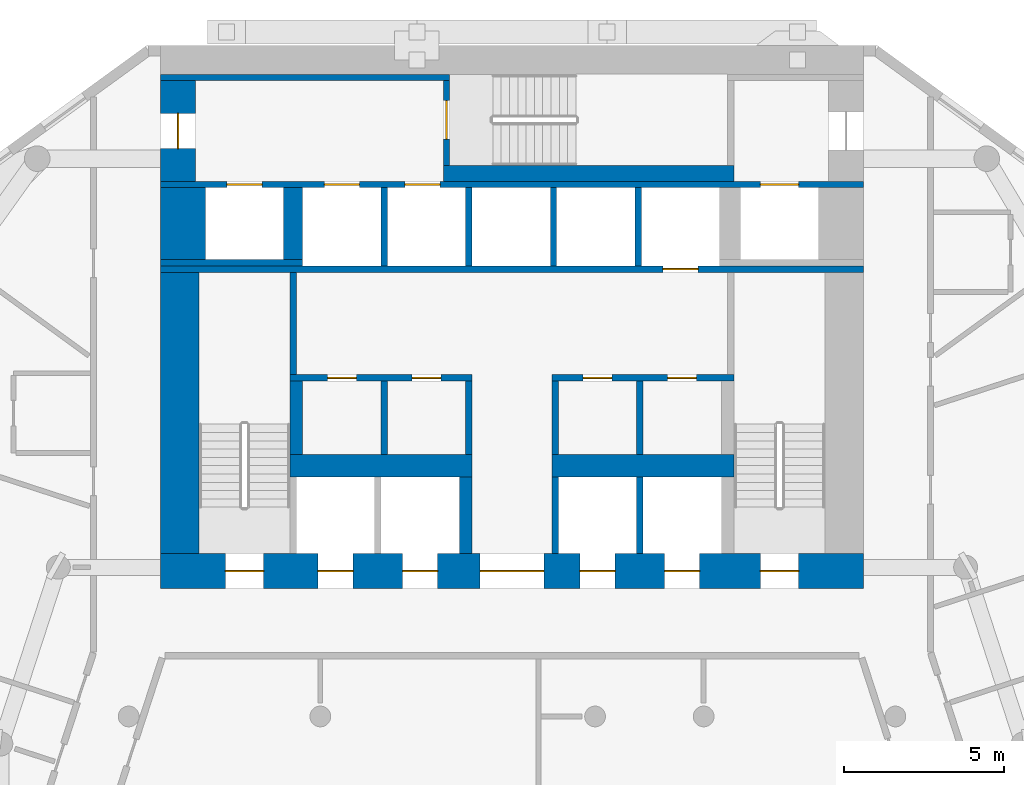
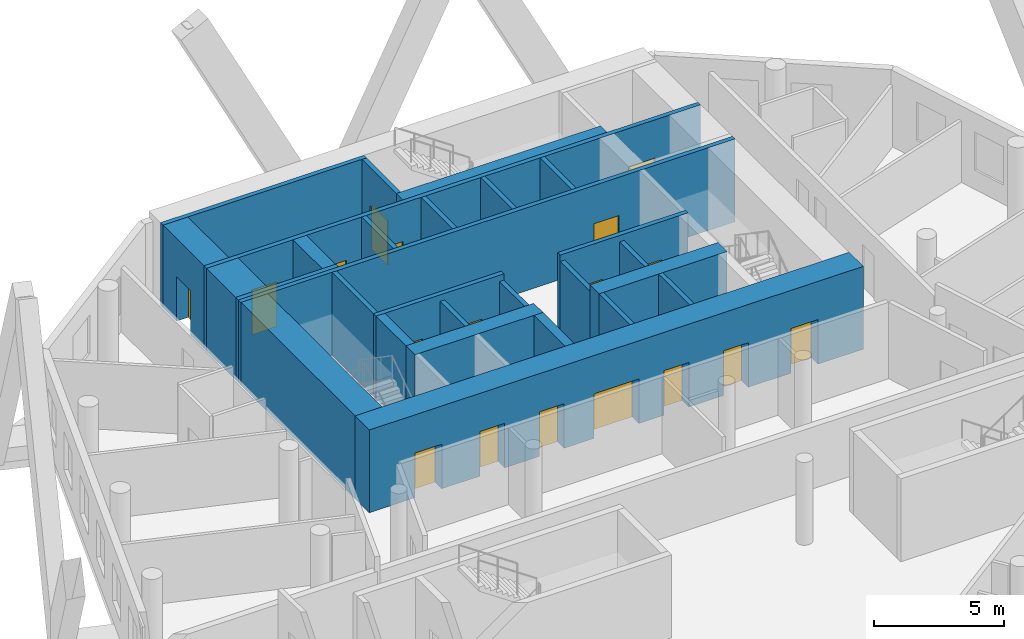
# One storey, part 7 of 11: 28 walls, 18 doors, 18 openings.
"""IFC4 building model written with IfcOpenShell, lengths in metres."""

import ifcopenshell
import ifcopenshell.guid

model = None  # the IFC model being written
_history = None  # IfcOwnerHistory: only IFC2X3 demands one
_inside = {}  # id of a spatial element -> (the spatial element, [elements in it])
_under = {}  # id of a project, library or spatial element -> (it, [spatial elements below it])
_declared = {}  # id of a project -> (the project, [libraries it declares])
_typed = {}  # id of a type object -> (the type object, [elements of that type])
_made_of = {}  # id of a material, layer set ... -> (it, [elements and type objects made of it])


def new_model(schema):
    """Start an empty IFC model of exactly this schema.

    Asked for "IFC4X3", IfcOpenShell would pick the latest addendum, in which some entities
    have other attributes; the version numbers below select the first issue.
    IFC2X3 requires an IfcOwnerHistory on every rooted entity: one is made here for all.
    """
    global model, _history
    if schema == "IFC4X3":
        model = ifcopenshell.file(schema_version=(4, 3, 0, 0))
    else:
        model = ifcopenshell.file(schema=schema)
    _inside.clear()
    _under.clear()
    _declared.clear()
    _typed.clear()
    _made_of.clear()
    _history = None
    if model.schema == "IFC2X3":
        org = make("IfcOrganization", Name="unknown")
        user = make(
            "IfcPersonAndOrganization",
            ThePerson=make("IfcPerson", FamilyName="unknown"),
            TheOrganization=org,
        )
        app = make(
            "IfcApplication",
            ApplicationDeveloper=org,
            Version="unknown",
            ApplicationFullName="unknown",
            ApplicationIdentifier="unknown",
        )
        _history = make(
            "IfcOwnerHistory",
            OwningUser=user,
            OwningApplication=app,
            ChangeAction="ADDED",
            CreationDate=0,
        )
    return model


def make(cls, **values):
    """One entity of the class cls with the attributes given. An attribute that is None is left unset."""
    return model.create_entity(
        cls, **{name: value for name, value in values.items() if value is not None}
    )


def rooted(cls, **values):
    """An entity with a GlobalId (a new one), such as an element, a storey or a relation."""
    return make(cls, GlobalId=ifcopenshell.guid.new(), OwnerHistory=_history, **values)


def si_unit(unit_type, name, prefix=None):
    """IfcSIUnit, for example si_unit("LENGTHUNIT", "METRE", prefix="MILLI")."""
    return make("IfcSIUnit", UnitType=unit_type, Prefix=prefix, Name=name)


def assignment(units):
    """IfcUnitAssignment: the units of a project."""
    return None if units is None else make("IfcUnitAssignment", Units=units)


def point(xyz):
    """IfcCartesianPoint."""
    return None if xyz is None else make("IfcCartesianPoint", Coordinates=xyz)


def direction(xyz):
    """IfcDirection."""
    return None if xyz is None else make("IfcDirection", DirectionRatios=xyz)


def frame(location, z_axis=None, x_axis=None):
    """IfcAxis2Placement3D, a coordinate frame: its origin and axes. An axis left out is left unset."""
    return make(
        "IfcAxis2Placement3D",
        Location=point(location),
        Axis=direction(z_axis),
        RefDirection=direction(x_axis),
    )


def frame_2d(location, x_axis=None):
    """IfcAxis2Placement2D, a coordinate frame in the plane: its origin and x axis."""
    return make(
        "IfcAxis2Placement2D", Location=point(location), RefDirection=direction(x_axis)
    )


def origin():
    """The frame at (0, 0, 0) with its axes left unset."""
    return frame((0.0, 0.0, 0.0))


def place(relative_to, where):
    """IfcLocalPlacement: puts the frame where relative to a parent placement (None: the world)."""
    return make(
        "IfcLocalPlacement", PlacementRelTo=relative_to, RelativePlacement=where
    )


def context(
    kind, dimensions, precision=None, world=None, true_north=None, identifier=None
):
    """IfcGeometricRepresentationContext, for example the 3D "Model" context."""
    return make(
        "IfcGeometricRepresentationContext",
        ContextIdentifier=identifier,
        ContextType=kind,
        CoordinateSpaceDimension=dimensions,
        Precision=precision,
        WorldCoordinateSystem=world,
        TrueNorth=true_north,
    )


def subcontext(parent, identifier, kind, view, scale=None):
    """IfcGeometricRepresentationSubContext, for example "Body" below "Model"."""
    return make(
        "IfcGeometricRepresentationSubContext",
        ContextIdentifier=identifier,
        ContextType=kind,
        ParentContext=parent,
        TargetScale=scale,
        TargetView=view,
    )


def project(units=None, contexts=None):
    """IfcProject with its units and contexts."""
    return rooted(
        "IfcProject",
        Name="project",
        RepresentationContexts=contexts,
        UnitsInContext=assignment(units),
    )


def spatial(cls, under=None, at=None, **own):
    """A site, building, storey or space (cls), placed at a placement, below another one or the project."""
    s = rooted(cls, ObjectPlacement=at, **own)
    if under is not None:
        _under.setdefault(under.id(), (under, []))[1].append(s)
    return s


def profile(cls, at=None, kind="AREA", **sizes):
    """A parametric profile (cls). Its sizes go by their IFC names, for example OverallWidth=200.0."""
    return make(cls, ProfileType=kind, Position=at, **sizes)


def rectangle(**sizes):
    """IfcRectangleProfileDef."""
    return profile("IfcRectangleProfileDef", **sizes)


def extrude(swept, where, along, depth):
    """IfcExtrudedAreaSolid: the profile swept, set in the frame where, extruded along a direction by depth."""
    return make(
        "IfcExtrudedAreaSolid",
        SweptArea=swept,
        Position=where,
        ExtrudedDirection=direction(along),
        Depth=depth,
    )


def shape(context_of_items, identifier, shape_type, items):
    """IfcShapeRepresentation: the items that make up one representation, for example the "Body"."""
    return make(
        "IfcShapeRepresentation",
        ContextOfItems=context_of_items,
        RepresentationIdentifier=identifier,
        RepresentationType=shape_type,
        Items=items,
    )


def material(Name=None, Category=None):
    """IfcMaterial."""
    return make("IfcMaterial", Name=Name, Category=Category)


def layer(
    of_material, thickness, ventilated=None, Name=None, Category=None, Priority=None
):
    """IfcMaterialLayer: one layer of a wall or slab, of a material (None: an air gap)."""
    return make(
        "IfcMaterialLayer",
        Material=of_material,
        LayerThickness=thickness,
        IsVentilated=ventilated,
        Name=Name,
        Category=Category,
        Priority=Priority,
    )


def layer_set(layers, Name=None):
    """IfcMaterialLayerSet."""
    return make("IfcMaterialLayerSet", MaterialLayers=layers, LayerSetName=Name)


def made_of(thing, what):
    """Note that an element or type object is made of a material, layer set ...; save() writes the relation."""
    if what is not None:
        _made_of.setdefault(what.id(), (what, []))[1].append(thing)
    return thing


def type_object(cls, material=None, **own):
    """A type object (cls), such as IfcWallType, which elements share."""
    return made_of(rooted(cls, **own), material)


def element(
    cls,
    number,
    at=None,
    inside=None,
    cuts=None,
    type_object=None,
    material=None,
    context=None,
    identifier="Body",
    shape_type=None,
    held_by="IfcProductDefinitionShape",
    body=None,
    shapes=None,
    **own,
):
    """One element of the class cls, such as IfcWall. Its Tag is "e" and its number.

    at: its placement. inside: the storey or other place that contains it. cuts: it is an
    opening in that element (IfcRelVoidsElement). A single representation is given by context,
    identifier, shape_type and body (its items); several are given by shapes. held_by: the class
    of the entity that holds the representations. save() writes the other relations.
    """
    e = rooted(cls, Tag="e%d" % number, ObjectPlacement=at, **own)
    if body is not None:
        shapes = [shape(context, identifier, shape_type, body)]
    if shapes is not None:
        e.Representation = make(held_by, Representations=shapes)
    if inside is not None:
        _inside.setdefault(inside.id(), (inside, []))[1].append(e)
    if cuts is not None:
        rooted(
            "IfcRelVoidsElement", RelatingBuildingElement=cuts, RelatedOpeningElement=e
        )
    if type_object is not None:
        _typed.setdefault(type_object.id(), (type_object, []))[1].append(e)
    return made_of(e, material)


def fill(opening, filler):
    """IfcRelFillsElement: the door or window that sits in an opening."""
    return rooted(
        "IfcRelFillsElement",
        RelatingOpeningElement=opening,
        RelatedBuildingElement=filler,
    )


def aggregate(whole, parts):
    """IfcRelAggregates: a whole, such as a stair, and the parts it consists of."""
    return rooted("IfcRelAggregates", RelatingObject=whole, RelatedObjects=parts)


def save(model, path):
    """Write the relations noted so far, then the file.

    IfcRelAggregates (storeys below a building ...), IfcRelContainedInSpatialStructure (elements
    in a storey), IfcRelDefinesByType, IfcRelAssociatesMaterial and IfcRelDeclares: one each for
    every whole, place, type object, material and project.
    """
    for whole, parts in _under.values():
        aggregate(whole, parts)
    for where, things in _inside.values():
        rooted(
            "IfcRelContainedInSpatialStructure",
            RelatedElements=things,
            RelatingStructure=where,
        )
    for kind, things in _typed.values():
        rooted("IfcRelDefinesByType", RelatedObjects=things, RelatingType=kind)
    for what, things in _made_of.values():
        rooted("IfcRelAssociatesMaterial", RelatedObjects=things, RelatingMaterial=what)
    for by, libraries in _declared.values():
        rooted("IfcRelDeclares", RelatingContext=by, RelatedDefinitions=libraries)
    model.write(path)


model = new_model("IFC4")

# Units and contexts
model_context = context("Model", 3, precision=1e-05, world=origin(), true_north=direction((0.0, 1.0)))
body_context = subcontext(model_context, "Body", "Model", "MODEL_VIEW")
ifc_project = project(units=[si_unit("LENGTHUNIT", "METRE"), si_unit("AREAUNIT", "SQUARE_METRE"), si_unit("VOLUMEUNIT", "CUBIC_METRE"), si_unit("PLANEANGLEUNIT", "RADIAN"), si_unit("MASSUNIT", "GRAM", prefix="KILO")], contexts=[model_context])

# Site, building, storey
site_placement = place(None, origin())
site = spatial("IfcSite", under=ifc_project, at=site_placement, CompositionType="ELEMENT")
building_placement = place(site_placement, origin())
building = spatial("IfcBuilding", under=site, at=building_placement, Name="White Candle Pilgrim Tower", CompositionType="ELEMENT")
storey_placement = place(building_placement, frame((0.0, 0.0, 90.800048828125)))
storey = spatial("IfcBuildingStorey", under=building, at=storey_placement, Name="L19", CompositionType="ELEMENT", Elevation=90.800048828125)

# Wall, opening, door
ifc_material_1 = material(Name="Concrete C60/75", Category="concrete")
ifc_layer_1 = layer(ifc_material_1, 1.10009765625)
ifc_layer_set_1 = layer_set([ifc_layer_1], Name="Core wall 1100 mm Concrete C60/75")
wall_type_1 = type_object("IfcWallType", Name="Core wall 1100 mm Concrete C60/75", PredefinedType="SHEAR", material=ifc_layer_set_1)
wall_1_placement = place(storey_placement, frame((59.550048828125, 83.75, 0.0), z_axis=(0.0, 0.0, 1.0), x_axis=(0.0, 1.0, 0.0)))
wall_1 = element("IfcWall", 1, at=wall_1_placement, inside=storey, type_object=wall_type_1, Name="WL-L19-C44", PredefinedType="SHEAR", context=body_context, shape_type="SweptSolid", body=[
    extrude(rectangle(XDim=3.14990234375, YDim=1.10009765625, at=frame_2d((1.574951171875, 0.0))), origin(), (0.0, 0.0, 1.0), 3.89990234375),
])
opening_1_placement = place(wall_1_placement, frame((1.02490234375, 0.0, 0.0)))
opening_1 = element("IfcOpeningElement", 2, at=opening_1_placement, cuts=wall_1, Name="Opening T06-005", PredefinedType="OPENING", context=body_context, shape_type="SweptSolid", body=[
    extrude(rectangle(XDim=1.10009765625, YDim=2.10009765625, at=frame_2d((0.550048828125, 1.050048828125))), frame((0.0, 0.56005859375, 0.0), z_axis=(0.0, -1.0, 0.0), x_axis=(1.0, 0.0, 0.0)), (0.0, 0.0, 1.0), 1.1201171875),
])
ifc_material_2 = material(Name="Steel door leaf", Category="steel")
door_type_1 = type_object("IfcDoorType", Name="Fire door 1100 x 2100 EI 60", OperationType="NOTDEFINED", PredefinedType="DOOR", material=ifc_material_2)
door_1_placement = place(opening_1_placement, origin())
door_1 = element("IfcDoor", 3, at=door_1_placement, inside=storey, type_object=door_type_1, Name="Door T06-005", OperationType="SINGLE_SWING_LEFT", OverallHeight=2.10009765625, OverallWidth=1.10009765625, PredefinedType="DOOR", context=body_context, shape_type="SweptSolid", body=[
    extrude(rectangle(XDim=1.10009765625, YDim=2.10009765625, at=frame_2d((0.550048828125, 1.050048828125))), frame((0.0, 0.02490234375, 0.0), z_axis=(0.0, -1.0, 0.0), x_axis=(1.0, 0.0, 0.0)), (0.0, 0.0, 1.0), 0.050048828125),
])
fill(opening_1, door_1)

# Walls
ifc_layer_2 = layer(ifc_material_1, 1.39990234375)
ifc_layer_set_2 = layer_set([ifc_layer_2], Name="Core wall 1400 mm Concrete C60/75")
wall_type_2 = type_object("IfcWallType", Name="Core wall 1400 mm Concrete C60/75", PredefinedType="SHEAR", material=ifc_layer_set_2)
wall_2_placement = place(storey_placement, frame((59.699951171875, 81.300048828125, 0.0), z_axis=(0.0, 0.0, 1.0), x_axis=(0.0, 1.0, 0.0)))
element("IfcWall", 4, at=wall_2_placement, inside=storey, type_object=wall_type_2, Name="WL-L19-C39", PredefinedType="SHEAR", context=body_context, shape_type="SweptSolid", body=[
    extrude(rectangle(XDim=2.25, YDim=1.39990234375, at=frame_2d((1.125, 0.0))), origin(), (0.0, 0.0, 1.0), 3.89990234375),
])
ifc_layer_3 = layer(ifc_material_1, 0.199951171875)
ifc_layer_set_3 = layer_set([ifc_layer_3], Name="Core wall 200 mm Concrete C60/75")
wall_type_3 = type_object("IfcWallType", Name="Core wall 200 mm Concrete C60/75", PredefinedType="SHEAR", material=ifc_layer_set_3)
wall_3_placement = place(storey_placement, frame((59.0, 81.199951171875, 0.0), z_axis=(0.0, 0.0, 1.0), x_axis=(1.0, 0.0, 0.0)))
element("IfcWall", 5, at=wall_3_placement, inside=storey, type_object=wall_type_3, Name="WL-L19-C33", PredefinedType="SHEAR", context=body_context, shape_type="SweptSolid", body=[
    extrude(rectangle(XDim=4.449951171875, YDim=0.199951171875, at=frame_2d((2.22509765625, 0.0))), origin(), (0.0, 0.0, 1.0), 3.89990234375),
])

# Wall, openings, doors
wall_4_placement = place(storey_placement, frame((59.0, 83.64990234375, 0.0), z_axis=(0.0, 0.0, 1.0), x_axis=(1.0, 0.0, 0.0)))
wall_4 = element("IfcWall", 6, at=wall_4_placement, inside=storey, type_object=wall_type_3, Name="WL-L19-C43", PredefinedType="SHEAR", context=body_context, shape_type="SweptSolid", body=[
    extrude(rectangle(XDim=22.0, YDim=0.199951171875, at=frame_2d((11.0, 0.0))), origin(), (0.0, 0.0, 1.0), 3.89990234375),
])
opening_2_placement = place(wall_4_placement, frame((5.125, 0.0, 0.0)))
opening_2 = element("IfcOpeningElement", 7, at=opening_2_placement, cuts=wall_4, Name="Opening T06-011", PredefinedType="OPENING", context=body_context, shape_type="SweptSolid", body=[
    extrude(rectangle(XDim=1.10009765625, YDim=2.10009765625, at=frame_2d((0.550048828125, 1.050048828125))), frame((0.0, 0.10986328125, 0.0), z_axis=(0.0, -1.0, 0.0), x_axis=(1.0, 0.0, 0.0)), (0.0, 0.0, 1.0), 0.219970703125),
])
opening_3_placement = place(wall_4_placement, frame((7.64990234375, 0.0, 0.0)))
opening_3 = element("IfcOpeningElement", 8, at=opening_3_placement, cuts=wall_4, Name="Opening T06-012", PredefinedType="OPENING", context=body_context, shape_type="SweptSolid", body=[
    extrude(rectangle(XDim=1.10009765625, YDim=2.10009765625, at=frame_2d((0.550048828125, 1.050048828125))), frame((0.0, 0.10986328125, 0.0), z_axis=(0.0, -1.0, 0.0), x_axis=(1.0, 0.0, 0.0)), (0.0, 0.0, 1.0), 0.219970703125),
])
opening_4_placement = place(wall_4_placement, frame((18.77490234375, 0.0, 0.0)))
opening_4 = element("IfcOpeningElement", 9, at=opening_4_placement, cuts=wall_4, Name="Opening T06-018", PredefinedType="OPENING", context=body_context, shape_type="SweptSolid", body=[
    extrude(rectangle(XDim=1.199951171875, YDim=2.10009765625, at=frame_2d((0.60009765625, 1.050048828125))), frame((0.0, 0.10986328125, 0.0), z_axis=(0.0, -1.0, 0.0), x_axis=(1.0, 0.0, 0.0)), (0.0, 0.0, 1.0), 0.219970703125),
])
opening_5_placement = place(wall_4_placement, frame((2.074951171875, 0.0, 0.0)))
opening_5 = element("IfcOpeningElement", 10, at=opening_5_placement, cuts=wall_4, Name="Opening T06-019", PredefinedType="OPENING", context=body_context, shape_type="SweptSolid", body=[
    extrude(rectangle(XDim=1.10009765625, YDim=2.10009765625, at=frame_2d((0.550048828125, 1.050048828125))), frame((0.0, 0.10986328125, 0.0), z_axis=(0.0, -1.0, 0.0), x_axis=(1.0, 0.0, 0.0)), (0.0, 0.0, 1.0), 0.219970703125),
])
ifc_material_3 = material(Name="Stainless steel", Category="steel")
door_type_2 = type_object("IfcDoorType", Name="Lift landing door 1100 x 2100 EI 60", OperationType="DOUBLE_DOOR_SLIDING", PredefinedType="DOOR", material=ifc_material_3)
door_2_placement = place(opening_2_placement, origin())
door_2 = element("IfcDoor", 11, at=door_2_placement, inside=storey, type_object=door_type_2, Name="Door T06-011", OperationType="DOUBLE_DOOR_SLIDING", OverallHeight=2.10009765625, OverallWidth=1.10009765625, PredefinedType="DOOR", context=body_context, shape_type="SweptSolid", body=[
    extrude(rectangle(XDim=1.10009765625, YDim=2.10009765625, at=frame_2d((0.550048828125, 1.050048828125))), frame((0.0, 0.02490234375, 0.0), z_axis=(0.0, -1.0, 0.0), x_axis=(1.0, 0.0, 0.0)), (0.0, 0.0, 1.0), 0.050048828125),
])
fill(opening_2, door_2)
door_3_placement = place(opening_3_placement, origin())
door_3 = element("IfcDoor", 12, at=door_3_placement, inside=storey, type_object=door_type_2, Name="Door T06-012", OperationType="DOUBLE_DOOR_SLIDING", OverallHeight=2.10009765625, OverallWidth=1.10009765625, PredefinedType="DOOR", context=body_context, shape_type="SweptSolid", body=[
    extrude(rectangle(XDim=1.10009765625, YDim=2.10009765625, at=frame_2d((0.550048828125, 1.050048828125))), frame((0.0, 0.02490234375, 0.0), z_axis=(0.0, -1.0, 0.0), x_axis=(1.0, 0.0, 0.0)), (0.0, 0.0, 1.0), 0.050048828125),
])
fill(opening_3, door_3)
door_4_placement = place(opening_5_placement, origin())
door_4 = element("IfcDoor", 13, at=door_4_placement, inside=storey, type_object=door_type_2, Name="Door T06-019", OperationType="DOUBLE_DOOR_SLIDING", OverallHeight=2.10009765625, OverallWidth=1.10009765625, PredefinedType="DOOR", context=body_context, shape_type="SweptSolid", body=[
    extrude(rectangle(XDim=1.10009765625, YDim=2.10009765625, at=frame_2d((0.550048828125, 1.050048828125))), frame((0.0, 0.02490234375, 0.0), z_axis=(0.0, -1.0, 0.0), x_axis=(1.0, 0.0, 0.0)), (0.0, 0.0, 1.0), 0.050048828125),
])
fill(opening_5, door_4)
door_type_3 = type_object("IfcDoorType", Name="Lift landing door 1200 x 2100 E 60", OperationType="DOUBLE_DOOR_SLIDING", PredefinedType="DOOR", material=ifc_material_3)
door_5_placement = place(opening_4_placement, origin())
door_5 = element("IfcDoor", 14, at=door_5_placement, inside=storey, type_object=door_type_3, Name="Door T06-018", OperationType="DOUBLE_DOOR_SLIDING", OverallHeight=2.10009765625, OverallWidth=1.199951171875, PredefinedType="DOOR", context=body_context, shape_type="SweptSolid", body=[
    extrude(rectangle(XDim=1.199951171875, YDim=2.10009765625, at=frame_2d((0.60009765625, 1.050048828125))), frame((0.0, 0.02490234375, 0.0), z_axis=(0.0, -1.0, 0.0), x_axis=(1.0, 0.0, 0.0)), (0.0, 0.0, 1.0), 0.050048828125),
])
fill(opening_4, door_5)

# Walls
ifc_material_4 = material(Name="Gypsum board on steel studs", Category="steel")
ifc_layer_4 = layer(ifc_material_4, 0.199951171875)
ifc_layer_set_4 = layer_set([ifc_layer_4], Name="Lobby wall 200 mm EI 60")
wall_type_4 = type_object("IfcWallType", Name="Lobby wall 200 mm EI 60", PredefinedType="PARTITIONING", material=ifc_layer_set_4)
for number, where, z_axis, x_axis, name in (
    (15, (66.0, 75.199951171875, 0.0), (0.0, 0.0, 1.0), (0.0, 1.0, 0.0), "WL-L19-C23"),
    (16, (68.64990234375, 75.199951171875, 0.0), (0.0, 0.0, 1.0), (0.0, 1.0, 0.0), "WL-L19-C24"),
    (17, (71.35009765625, 75.199951171875, 0.0), (0.0, 0.0, 1.0), (0.0, 1.0, 0.0), "WL-L19-C25"),
    (18, (74.0, 75.199951171875, 0.0), (0.0, 0.0, 1.0), (0.0, 1.0, 0.0), "WL-L19-C26"),
):
    element("IfcWall", number, at=place(storey_placement, frame(where, z_axis=z_axis, x_axis=x_axis)), inside=storey, type_object=wall_type_4, Name=name, PredefinedType="PARTITIONING", context=body_context, shape_type="SweptSolid", body=[
        extrude(rectangle(XDim=2.300048828125, YDim=0.199951171875, at=frame_2d((1.14990234375, 0.0))), origin(), (0.0, 0.0, 1.0), 3.599853515625),
    ])
ifc_layer_5 = layer(ifc_material_1, 0.199951171875)
ifc_layer_set_5 = layer_set([ifc_layer_5], Name="Shaft wall 200 mm Concrete C60/75")
wall_type_5 = type_object("IfcWallType", Name="Shaft wall 200 mm Concrete C60/75", PredefinedType="SHEAR", material=ifc_layer_set_5)
for number, where, z_axis, x_axis, name in (
    (19, (71.35009765625, 72.10009765625, 0.0), (0.0, 0.0, 1.0), (0.0, 1.0, 0.0), "WL-L19-C16"),
    (20, (74.0, 72.10009765625, 0.0), (0.0, 0.0, 1.0), (0.0, 1.0, 0.0), "WL-L19-C17"),
):
    element("IfcWall", number, at=place(storey_placement, frame(where, z_axis=z_axis, x_axis=x_axis)), inside=storey, type_object=wall_type_5, Name=name, PredefinedType="SHEAR", context=body_context, shape_type="SweptSolid", body=[
        extrude(rectangle(XDim=2.39990234375, YDim=0.199951171875, at=frame_2d((1.199951171875, 0.0))), origin(), (0.0, 0.0, 1.0), 3.89990234375),
    ])
for number, where, z_axis, x_axis, name in (
    (21, (66.0, 81.10009765625, 0.0), (0.0, 0.0, 1.0), (0.0, 1.0, 0.0), "WL-L19-C34"),
    (22, (68.64990234375, 81.10009765625, 0.0), (0.0, 0.0, 1.0), (0.0, 1.0, 0.0), "WL-L19-C35"),
    (23, (71.300048828125, 81.10009765625, 0.0), (0.0, 0.0, 1.0), (0.0, 1.0, 0.0), "WL-L19-C36"),
    (24, (73.949951171875, 81.10009765625, 0.0), (0.0, 0.0, 1.0), (0.0, 1.0, 0.0), "WL-L19-C37"),
):
    element("IfcWall", number, at=place(storey_placement, frame(where, z_axis=z_axis, x_axis=x_axis)), inside=storey, type_object=wall_type_5, Name=name, PredefinedType="SHEAR", context=body_context, shape_type="SweptSolid", body=[
        extrude(rectangle(XDim=2.449951171875, YDim=0.199951171875, at=frame_2d((1.22509765625, 0.0))), origin(), (0.0, 0.0, 1.0), 3.89990234375),
    ])
ifc_layer_6 = layer(ifc_material_1, 0.39990234375)
ifc_layer_set_6 = layer_set([ifc_layer_6], Name="Shaft wall 400 mm Concrete C60/75")
wall_type_6 = type_object("IfcWallType", Name="Shaft wall 400 mm Concrete C60/75", PredefinedType="SHEAR", material=ifc_layer_set_6)
wall_5_placement = place(storey_placement, frame((68.550048828125, 72.10009765625, 0.0), z_axis=(0.0, 0.0, 1.0), x_axis=(0.0, 1.0, 0.0)))
element("IfcWall", 25, at=wall_5_placement, inside=storey, type_object=wall_type_6, Name="WL-L19-C15", PredefinedType="SHEAR", context=body_context, shape_type="SweptSolid", body=[
    extrude(rectangle(XDim=2.39990234375, YDim=0.39990234375, at=frame_2d((1.199951171875, 0.0))), origin(), (0.0, 0.0, 1.0), 3.89990234375),
])
ifc_layer_7 = layer(ifc_material_1, 0.60009765625)
ifc_layer_set_7 = layer_set([ifc_layer_7], Name="Shaft wall 600 mm Concrete C60/75")
wall_type_7 = type_object("IfcWallType", Name="Shaft wall 600 mm Concrete C60/75", PredefinedType="SHEAR", material=ifc_layer_set_7)
wall_6_placement = place(storey_placement, frame((63.14990234375, 81.300048828125, 0.0), z_axis=(0.0, 0.0, 1.0), x_axis=(0.0, 1.0, 0.0)))
element("IfcWall", 26, at=wall_6_placement, inside=storey, type_object=wall_type_7, Name="WL-L19-C40", PredefinedType="SHEAR", context=body_context, shape_type="SweptSolid", body=[
    extrude(rectangle(XDim=2.25, YDim=0.60009765625, at=frame_2d((1.125, 0.0))), origin(), (0.0, 0.0, 1.0), 3.89990234375),
])

# Wall, openings, doors
ifc_layer_8 = layer(ifc_material_1, 1.10009765625)
ifc_layer_set_8 = layer_set([ifc_layer_8], Name="Stair shaft wall 1100 mm Concrete C60/75")
wall_type_8 = type_object("IfcWallType", Name="Stair shaft wall 1100 mm Concrete C60/75", PredefinedType="SHEAR", material=ifc_layer_set_8)
wall_7_placement = place(storey_placement, frame((59.0, 71.550048828125, 0.0), z_axis=(0.0, 0.0, 1.0), x_axis=(1.0, 0.0, 0.0)))
wall_7 = element("IfcWall", 27, at=wall_7_placement, inside=storey, type_object=wall_type_8, Name="WL-L19-C11", PredefinedType="SHEAR", context=body_context, shape_type="SweptSolid", body=[
    extrude(rectangle(XDim=22.0, YDim=1.10009765625, at=frame_2d((11.0, 0.0))), origin(), (0.0, 0.0, 1.0), 3.89990234375),
])
opening_6_placement = place(wall_7_placement, frame((2.02490234375, 0.0, 0.0)))
opening_6 = element("IfcOpeningElement", 28, at=opening_6_placement, cuts=wall_7, Name="Opening T06-001", PredefinedType="OPENING", context=body_context, shape_type="SweptSolid", body=[
    extrude(rectangle(XDim=1.199951171875, YDim=2.10009765625, at=frame_2d((0.60009765625, 1.050048828125))), frame((0.0, 0.56005859375, 0.0), z_axis=(0.0, -1.0, 0.0), x_axis=(1.0, 0.0, 0.0)), (0.0, 0.0, 1.0), 1.1201171875),
])
opening_7_placement = place(wall_7_placement, frame((18.77490234375, 0.0, 0.0)))
opening_7 = element("IfcOpeningElement", 29, at=opening_7_placement, cuts=wall_7, Name="Opening T06-002", PredefinedType="OPENING", context=body_context, shape_type="SweptSolid", body=[
    extrude(rectangle(XDim=1.199951171875, YDim=2.10009765625, at=frame_2d((0.60009765625, 1.050048828125))), frame((0.0, 0.56005859375, 0.0), z_axis=(0.0, -1.0, 0.0), x_axis=(1.0, 0.0, 0.0)), (0.0, 0.0, 1.0), 1.1201171875),
])
opening_8_placement = place(wall_7_placement, frame((10.0, 0.0, 0.0)))
opening_8 = element("IfcOpeningElement", 30, at=opening_8_placement, cuts=wall_7, Name="Opening T06-004", PredefinedType="OPENING", context=body_context, shape_type="SweptSolid", body=[
    extrude(rectangle(XDim=2.0, YDim=2.10009765625, at=frame_2d((1.0, 1.050048828125))), frame((0.0, 0.56005859375, 0.0), z_axis=(0.0, -1.0, 0.0), x_axis=(1.0, 0.0, 0.0)), (0.0, 0.0, 1.0), 1.1201171875),
])
opening_9_placement = place(wall_7_placement, frame((4.925048828125, 0.0, 0.0)))
opening_9 = element("IfcOpeningElement", 31, at=opening_9_placement, cuts=wall_7, Name="Opening T06-014", PredefinedType="OPENING", context=body_context, shape_type="SweptSolid", body=[
    extrude(rectangle(XDim=1.10009765625, YDim=2.10009765625, at=frame_2d((0.550048828125, 1.050048828125))), frame((0.0, 0.56005859375, 0.0), z_axis=(0.0, -1.0, 0.0), x_axis=(1.0, 0.0, 0.0)), (0.0, 0.0, 1.0), 1.1201171875),
])
opening_10_placement = place(wall_7_placement, frame((7.574951171875, 0.0, 0.0)))
opening_10 = element("IfcOpeningElement", 32, at=opening_10_placement, cuts=wall_7, Name="Opening T06-015", PredefinedType="OPENING", context=body_context, shape_type="SweptSolid", body=[
    extrude(rectangle(XDim=1.10009765625, YDim=2.10009765625, at=frame_2d((0.550048828125, 1.050048828125))), frame((0.0, 0.56005859375, 0.0), z_axis=(0.0, -1.0, 0.0), x_axis=(1.0, 0.0, 0.0)), (0.0, 0.0, 1.0), 1.1201171875),
])
opening_11_placement = place(wall_7_placement, frame((13.125, 0.0, 0.0)))
opening_11 = element("IfcOpeningElement", 33, at=opening_11_placement, cuts=wall_7, Name="Opening T06-016", PredefinedType="OPENING", context=body_context, shape_type="SweptSolid", body=[
    extrude(rectangle(XDim=1.10009765625, YDim=2.10009765625, at=frame_2d((0.550048828125, 1.050048828125))), frame((0.0, 0.56005859375, 0.0), z_axis=(0.0, -1.0, 0.0), x_axis=(1.0, 0.0, 0.0)), (0.0, 0.0, 1.0), 1.1201171875),
])
opening_12_placement = place(wall_7_placement, frame((15.77490234375, 0.0, 0.0)))
opening_12 = element("IfcOpeningElement", 34, at=opening_12_placement, cuts=wall_7, Name="Opening T06-017", PredefinedType="OPENING", context=body_context, shape_type="SweptSolid", body=[
    extrude(rectangle(XDim=1.10009765625, YDim=2.10009765625, at=frame_2d((0.550048828125, 1.050048828125))), frame((0.0, 0.56005859375, 0.0), z_axis=(0.0, -1.0, 0.0), x_axis=(1.0, 0.0, 0.0)), (0.0, 0.0, 1.0), 1.1201171875),
])
door_type_4 = type_object("IfcDoorType", Name="Fire door 1200 x 2100 EI 60", OperationType="NOTDEFINED", PredefinedType="DOOR", material=ifc_material_2)
door_6_placement = place(opening_6_placement, frame((1.199951171875, 0.0, 0.0), z_axis=(0.0, 0.0, 1.0), x_axis=(-1.0, 0.0, 0.0)))
door_6 = element("IfcDoor", 35, at=door_6_placement, inside=storey, type_object=door_type_4, Name="Door T06-001", OperationType="SINGLE_SWING_RIGHT", OverallHeight=2.10009765625, OverallWidth=1.199951171875, PredefinedType="DOOR", context=body_context, shape_type="SweptSolid", body=[
    extrude(rectangle(XDim=1.199951171875, YDim=2.10009765625, at=frame_2d((0.60009765625, 1.050048828125))), frame((0.0, 0.02490234375, 0.0), z_axis=(0.0, -1.0, 0.0), x_axis=(1.0, 0.0, 0.0)), (0.0, 0.0, 1.0), 0.050048828125),
])
fill(opening_6, door_6)
door_7_placement = place(opening_7_placement, frame((1.199951171875, 0.0, 0.0), z_axis=(0.0, 0.0, 1.0), x_axis=(-1.0, 0.0, 0.0)))
door_7 = element("IfcDoor", 36, at=door_7_placement, inside=storey, type_object=door_type_4, Name="Door T06-002", OperationType="SINGLE_SWING_LEFT", OverallHeight=2.10009765625, OverallWidth=1.199951171875, PredefinedType="DOOR", context=body_context, shape_type="SweptSolid", body=[
    extrude(rectangle(XDim=1.199951171875, YDim=2.10009765625, at=frame_2d((0.60009765625, 1.050048828125))), frame((0.0, 0.02490234375, 0.0), z_axis=(0.0, -1.0, 0.0), x_axis=(1.0, 0.0, 0.0)), (0.0, 0.0, 1.0), 0.050048828125),
])
fill(opening_7, door_7)
door_type_5 = type_object("IfcDoorType", Name="Fire door 2000 x 2100 EI 60", OperationType="NOTDEFINED", PredefinedType="DOOR", material=ifc_material_2)
door_8_placement = place(opening_8_placement, frame((2.0, 0.0, 0.0), z_axis=(0.0, 0.0, 1.0), x_axis=(-1.0, 0.0, 0.0)))
door_8 = element("IfcDoor", 37, at=door_8_placement, inside=storey, type_object=door_type_5, Name="Door T06-004", OperationType="DOUBLE_DOOR_SINGLE_SWING", OverallHeight=2.10009765625, OverallWidth=2.0, PredefinedType="DOOR", context=body_context, shape_type="SweptSolid", body=[
    extrude(rectangle(XDim=2.0, YDim=2.10009765625, at=frame_2d((1.0, 1.050048828125))), frame((0.0, 0.02490234375, 0.0), z_axis=(0.0, -1.0, 0.0), x_axis=(1.0, 0.0, 0.0)), (0.0, 0.0, 1.0), 0.050048828125),
])
fill(opening_8, door_8)
door_type_6 = type_object("IfcDoorType", Name="Lift landing door 1100 x 2100 E 60", OperationType="DOUBLE_DOOR_SLIDING", PredefinedType="DOOR", material=ifc_material_3)
door_9_placement = place(opening_9_placement, origin())
door_9 = element("IfcDoor", 38, at=door_9_placement, inside=storey, type_object=door_type_6, Name="Door T06-014", OperationType="DOUBLE_DOOR_SLIDING", OverallHeight=2.10009765625, OverallWidth=1.10009765625, PredefinedType="DOOR", context=body_context, shape_type="SweptSolid", body=[
    extrude(rectangle(XDim=1.10009765625, YDim=2.10009765625, at=frame_2d((0.550048828125, 1.050048828125))), frame((0.0, 0.02490234375, 0.0), z_axis=(0.0, -1.0, 0.0), x_axis=(1.0, 0.0, 0.0)), (0.0, 0.0, 1.0), 0.050048828125),
])
fill(opening_9, door_9)
door_10_placement = place(opening_10_placement, origin())
door_10 = element("IfcDoor", 39, at=door_10_placement, inside=storey, type_object=door_type_6, Name="Door T06-015", OperationType="DOUBLE_DOOR_SLIDING", OverallHeight=2.10009765625, OverallWidth=1.10009765625, PredefinedType="DOOR", context=body_context, shape_type="SweptSolid", body=[
    extrude(rectangle(XDim=1.10009765625, YDim=2.10009765625, at=frame_2d((0.550048828125, 1.050048828125))), frame((0.0, 0.02490234375, 0.0), z_axis=(0.0, -1.0, 0.0), x_axis=(1.0, 0.0, 0.0)), (0.0, 0.0, 1.0), 0.050048828125),
])
fill(opening_10, door_10)
door_11_placement = place(opening_11_placement, origin())
door_11 = element("IfcDoor", 40, at=door_11_placement, inside=storey, type_object=door_type_6, Name="Door T06-016", OperationType="DOUBLE_DOOR_SLIDING", OverallHeight=2.10009765625, OverallWidth=1.10009765625, PredefinedType="DOOR", context=body_context, shape_type="SweptSolid", body=[
    extrude(rectangle(XDim=1.10009765625, YDim=2.10009765625, at=frame_2d((0.550048828125, 1.050048828125))), frame((0.0, 0.02490234375, 0.0), z_axis=(0.0, -1.0, 0.0), x_axis=(1.0, 0.0, 0.0)), (0.0, 0.0, 1.0), 0.050048828125),
])
fill(opening_11, door_11)
door_12_placement = place(opening_12_placement, origin())
door_12 = element("IfcDoor", 41, at=door_12_placement, inside=storey, type_object=door_type_6, Name="Door T06-017", OperationType="DOUBLE_DOOR_SLIDING", OverallHeight=2.10009765625, OverallWidth=1.10009765625, PredefinedType="DOOR", context=body_context, shape_type="SweptSolid", body=[
    extrude(rectangle(XDim=1.10009765625, YDim=2.10009765625, at=frame_2d((0.550048828125, 1.050048828125))), frame((0.0, 0.02490234375, 0.0), z_axis=(0.0, -1.0, 0.0), x_axis=(1.0, 0.0, 0.0)), (0.0, 0.0, 1.0), 0.050048828125),
])
fill(opening_12, door_12)

# Wall
ifc_layer_9 = layer(ifc_material_1, 1.199951171875)
ifc_layer_set_9 = layer_set([ifc_layer_9], Name="Stair shaft wall 1200 mm Concrete C60/75")
wall_type_9 = type_object("IfcWallType", Name="Stair shaft wall 1200 mm Concrete C60/75", PredefinedType="SHEAR", material=ifc_layer_set_9)
wall_8_placement = place(storey_placement, frame((59.60009765625, 72.10009765625, 0.0), z_axis=(0.0, 0.0, 1.0), x_axis=(0.0, 1.0, 0.0)))
element("IfcWall", 42, at=wall_8_placement, inside=storey, type_object=wall_type_9, Name="WL-L19-C12", PredefinedType="SHEAR", context=body_context, shape_type="SweptSolid", body=[
    extrude(rectangle(XDim=8.7998046875, YDim=1.199951171875, at=frame_2d((4.39990234375, 0.0))), origin(), (0.0, 0.0, 1.0), 3.89990234375),
])

# Wall, openings, doors
ifc_layer_10 = layer(ifc_material_1, 0.199951171875)
ifc_layer_set_10 = layer_set([ifc_layer_10], Name="Stair shaft wall 200 mm Concrete C60/75")
wall_type_10 = type_object("IfcWallType", Name="Stair shaft wall 200 mm Concrete C60/75", PredefinedType="SHEAR", material=ifc_layer_set_10)
wall_9_placement = place(storey_placement, frame((63.050048828125, 77.60009765625, 0.0), z_axis=(0.0, 0.0, 1.0), x_axis=(1.0, 0.0, 0.0)))
wall_9 = element("IfcWall", 43, at=wall_9_placement, inside=storey, type_object=wall_type_10, Name="WL-L19-C28", PredefinedType="SHEAR", context=body_context, shape_type="SweptSolid", body=[
    extrude(rectangle(XDim=5.699951171875, YDim=0.199951171875, at=frame_2d((2.85009765625, 0.0))), origin(), (0.0, 0.0, 1.0), 3.89990234375),
])
opening_13_placement = place(wall_9_placement, frame((1.175048828125, 0.0, 0.0)))
opening_13 = element("IfcOpeningElement", 44, at=opening_13_placement, cuts=wall_9, Name="Opening T06-020", PredefinedType="OPENING", context=body_context, shape_type="SweptSolid", body=[
    extrude(rectangle(XDim=0.89990234375, YDim=2.10009765625, at=frame_2d((0.449951171875, 1.050048828125))), frame((0.0, 0.10986328125, 0.0), z_axis=(0.0, -1.0, 0.0), x_axis=(1.0, 0.0, 0.0)), (0.0, 0.0, 1.0), 0.219970703125),
])
opening_14_placement = place(wall_9_placement, frame((3.824951171875, 0.0, 0.0)))
opening_14 = element("IfcOpeningElement", 45, at=opening_14_placement, cuts=wall_9, Name="Opening T06-021", PredefinedType="OPENING", context=body_context, shape_type="SweptSolid", body=[
    extrude(rectangle(XDim=0.89990234375, YDim=2.10009765625, at=frame_2d((0.449951171875, 1.050048828125))), frame((0.0, 0.10986328125, 0.0), z_axis=(0.0, -1.0, 0.0), x_axis=(1.0, 0.0, 0.0)), (0.0, 0.0, 1.0), 0.219970703125),
])
door_type_7 = type_object("IfcDoorType", Name="Fire door 900 x 2100 EI 30", OperationType="NOTDEFINED", PredefinedType="DOOR", material=ifc_material_2)
door_13_placement = place(opening_13_placement, origin())
door_13 = element("IfcDoor", 46, at=door_13_placement, inside=storey, type_object=door_type_7, Name="Door T06-020", OperationType="SINGLE_SWING_RIGHT", OverallHeight=2.10009765625, OverallWidth=0.89990234375, PredefinedType="DOOR", context=body_context, shape_type="SweptSolid", body=[
    extrude(rectangle(XDim=0.89990234375, YDim=2.10009765625, at=frame_2d((0.449951171875, 1.050048828125))), frame((0.0, 0.02490234375, 0.0), z_axis=(0.0, -1.0, 0.0), x_axis=(1.0, 0.0, 0.0)), (0.0, 0.0, 1.0), 0.050048828125),
])
fill(opening_13, door_13)
door_14_placement = place(opening_14_placement, origin())
door_14 = element("IfcDoor", 47, at=door_14_placement, inside=storey, type_object=door_type_7, Name="Door T06-021", OperationType="SINGLE_SWING_LEFT", OverallHeight=2.10009765625, OverallWidth=0.89990234375, PredefinedType="DOOR", context=body_context, shape_type="SweptSolid", body=[
    extrude(rectangle(XDim=0.89990234375, YDim=2.10009765625, at=frame_2d((0.449951171875, 1.050048828125))), frame((0.0, 0.02490234375, 0.0), z_axis=(0.0, -1.0, 0.0), x_axis=(1.0, 0.0, 0.0)), (0.0, 0.0, 1.0), 0.050048828125),
])
fill(opening_14, door_14)

wall_10_placement = place(storey_placement, frame((71.25, 77.60009765625, 0.0), z_axis=(0.0, 0.0, 1.0), x_axis=(1.0, 0.0, 0.0)))
wall_10 = element("IfcWall", 48, at=wall_10_placement, inside=storey, type_object=wall_type_10, Name="WL-L19-C29", PredefinedType="SHEAR", context=body_context, shape_type="SweptSolid", body=[
    extrude(rectangle(XDim=5.699951171875, YDim=0.199951171875, at=frame_2d((2.85009765625, 0.0))), origin(), (0.0, 0.0, 1.0), 3.89990234375),
])
opening_15_placement = place(wall_10_placement, frame((0.97509765625, 0.0, 0.0)))
opening_15 = element("IfcOpeningElement", 49, at=opening_15_placement, cuts=wall_10, Name="Opening T06-022", PredefinedType="OPENING", context=body_context, shape_type="SweptSolid", body=[
    extrude(rectangle(XDim=0.89990234375, YDim=2.10009765625, at=frame_2d((0.449951171875, 1.050048828125))), frame((0.0, 0.10986328125, 0.0), z_axis=(0.0, -1.0, 0.0), x_axis=(1.0, 0.0, 0.0)), (0.0, 0.0, 1.0), 0.219970703125),
])
opening_16_placement = place(wall_10_placement, frame((3.625, 0.0, 0.0)))
opening_16 = element("IfcOpeningElement", 50, at=opening_16_placement, cuts=wall_10, Name="Opening T06-023", PredefinedType="OPENING", context=body_context, shape_type="SweptSolid", body=[
    extrude(rectangle(XDim=0.89990234375, YDim=2.10009765625, at=frame_2d((0.449951171875, 1.050048828125))), frame((0.0, 0.10986328125, 0.0), z_axis=(0.0, -1.0, 0.0), x_axis=(1.0, 0.0, 0.0)), (0.0, 0.0, 1.0), 0.219970703125),
])
door_15_placement = place(opening_15_placement, origin())
door_15 = element("IfcDoor", 51, at=door_15_placement, inside=storey, type_object=door_type_7, Name="Door T06-022", OperationType="SINGLE_SWING_RIGHT", OverallHeight=2.10009765625, OverallWidth=0.89990234375, PredefinedType="DOOR", context=body_context, shape_type="SweptSolid", body=[
    extrude(rectangle(XDim=0.89990234375, YDim=2.10009765625, at=frame_2d((0.449951171875, 1.050048828125))), frame((0.0, 0.02490234375, 0.0), z_axis=(0.0, -1.0, 0.0), x_axis=(1.0, 0.0, 0.0)), (0.0, 0.0, 1.0), 0.050048828125),
])
fill(opening_15, door_15)
door_16_placement = place(opening_16_placement, origin())
door_16 = element("IfcDoor", 52, at=door_16_placement, inside=storey, type_object=door_type_7, Name="Door T06-023", OperationType="SINGLE_SWING_LEFT", OverallHeight=2.10009765625, OverallWidth=0.89990234375, PredefinedType="DOOR", context=body_context, shape_type="SweptSolid", body=[
    extrude(rectangle(XDim=0.89990234375, YDim=2.10009765625, at=frame_2d((0.449951171875, 1.050048828125))), frame((0.0, 0.02490234375, 0.0), z_axis=(0.0, -1.0, 0.0), x_axis=(1.0, 0.0, 0.0)), (0.0, 0.0, 1.0), 0.050048828125),
])
fill(opening_16, door_16)

# Wall
wall_11_placement = place(storey_placement, frame((63.14990234375, 77.699951171875, 0.0), z_axis=(0.0, 0.0, 1.0), x_axis=(0.0, 1.0, 0.0)))
element("IfcWall", 53, at=wall_11_placement, inside=storey, type_object=wall_type_10, Name="WL-L19-C30", PredefinedType="SHEAR", context=body_context, shape_type="SweptSolid", body=[
    extrude(rectangle(XDim=3.199951171875, YDim=0.199951171875, at=frame_2d((1.60009765625, 0.0))), origin(), (0.0, 0.0, 1.0), 3.89990234375),
])

# Wall, opening, door
wall_12_placement = place(storey_placement, frame((59.0, 81.0, 0.0), z_axis=(0.0, 0.0, 1.0), x_axis=(1.0, 0.0, 0.0)))
wall_12 = element("IfcWall", 54, at=wall_12_placement, inside=storey, type_object=wall_type_10, Name="WL-L19-C32", PredefinedType="SHEAR", context=body_context, shape_type="SweptSolid", body=[
    extrude(rectangle(XDim=22.0, YDim=0.199951171875, at=frame_2d((11.0, 0.0))), origin(), (0.0, 0.0, 1.0), 3.89990234375),
])
opening_17_placement = place(wall_12_placement, frame((15.72509765625, 0.0, 0.0)))
opening_17 = element("IfcOpeningElement", 55, at=opening_17_placement, cuts=wall_12, Name="Opening T06-013", PredefinedType="OPENING", context=body_context, shape_type="SweptSolid", body=[
    extrude(rectangle(XDim=1.10009765625, YDim=2.10009765625, at=frame_2d((0.550048828125, 1.050048828125))), frame((0.0, 0.10986328125, 0.0), z_axis=(0.0, -1.0, 0.0), x_axis=(1.0, 0.0, 0.0)), (0.0, 0.0, 1.0), 0.219970703125),
])
door_17_placement = place(opening_17_placement, origin())
door_17 = element("IfcDoor", 56, at=door_17_placement, inside=storey, type_object=door_type_6, Name="Door T06-013", OperationType="DOUBLE_DOOR_SLIDING", OverallHeight=2.10009765625, OverallWidth=1.10009765625, PredefinedType="DOOR", context=body_context, shape_type="SweptSolid", body=[
    extrude(rectangle(XDim=1.10009765625, YDim=2.10009765625, at=frame_2d((0.550048828125, 1.050048828125))), frame((0.0, 0.02490234375, 0.0), z_axis=(0.0, -1.0, 0.0), x_axis=(1.0, 0.0, 0.0)), (0.0, 0.0, 1.0), 0.050048828125),
])
fill(opening_17, door_17)

wall_13_placement = place(storey_placement, frame((67.949951171875, 84.25, 0.0), z_axis=(0.0, 0.0, 1.0), x_axis=(0.0, 1.0, 0.0)))
wall_13 = element("IfcWall", 57, at=wall_13_placement, inside=storey, type_object=wall_type_10, Name="WL-L19-C47", PredefinedType="SHEAR", context=body_context, shape_type="SweptSolid", body=[
    extrude(rectangle(XDim=2.64990234375, YDim=0.199951171875, at=frame_2d((1.324951171875, 0.0))), origin(), (0.0, 0.0, 1.0), 3.89990234375),
])
opening_18_placement = place(wall_13_placement, frame((0.824951171875, 0.0, 0.0)))
opening_18 = element("IfcOpeningElement", 58, at=opening_18_placement, cuts=wall_13, Name="Opening T06-003", PredefinedType="OPENING", context=body_context, shape_type="SweptSolid", body=[
    extrude(rectangle(XDim=1.199951171875, YDim=2.10009765625, at=frame_2d((0.60009765625, 1.050048828125))), frame((0.0, 0.10986328125, 0.0), z_axis=(0.0, -1.0, 0.0), x_axis=(1.0, 0.0, 0.0)), (0.0, 0.0, 1.0), 0.219970703125),
])
door_18_placement = place(opening_18_placement, frame((1.199951171875, 0.0, 0.0), z_axis=(0.0, 0.0, 1.0), x_axis=(-1.0, 0.0, 0.0)))
door_18 = element("IfcDoor", 59, at=door_18_placement, inside=storey, type_object=door_type_4, Name="Door T06-003", OperationType="SINGLE_SWING_RIGHT", OverallHeight=2.10009765625, OverallWidth=1.199951171875, PredefinedType="DOOR", context=body_context, shape_type="SweptSolid", body=[
    extrude(rectangle(XDim=1.199951171875, YDim=2.10009765625, at=frame_2d((0.60009765625, 1.050048828125))), frame((0.0, 0.02490234375, 0.0), z_axis=(0.0, -1.0, 0.0), x_axis=(1.0, 0.0, 0.0)), (0.0, 0.0, 1.0), 0.050048828125),
])
fill(opening_18, door_18)

# Walls
wall_14_placement = place(storey_placement, frame((59.0, 87.0, 0.0), z_axis=(0.0, 0.0, 1.0), x_axis=(1.0, 0.0, 0.0)))
element("IfcWall", 60, at=wall_14_placement, inside=storey, type_object=wall_type_10, Name="WL-L19-C49", PredefinedType="SHEAR", context=body_context, shape_type="SweptSolid", body=[
    extrude(rectangle(XDim=9.050048828125, YDim=0.199951171875, at=frame_2d((4.52490234375, 0.0))), origin(), (0.0, 0.0, 1.0), 3.89990234375),
])
ifc_layer_11 = layer(ifc_material_1, 0.39990234375)
ifc_layer_set_11 = layer_set([ifc_layer_11], Name="Stair shaft wall 400 mm Concrete C60/75")
wall_type_11 = type_object("IfcWallType", Name="Stair shaft wall 400 mm Concrete C60/75", PredefinedType="SHEAR", material=ifc_layer_set_11)
wall_15_placement = place(storey_placement, frame((63.25, 75.199951171875, 0.0), z_axis=(0.0, 0.0, 1.0), x_axis=(0.0, 1.0, 0.0)))
element("IfcWall", 61, at=wall_15_placement, inside=storey, type_object=wall_type_11, Name="WL-L19-C22", PredefinedType="SHEAR", context=body_context, shape_type="SweptSolid", body=[
    extrude(rectangle(XDim=2.300048828125, YDim=0.39990234375, at=frame_2d((1.14990234375, 0.0))), origin(), (0.0, 0.0, 1.0), 3.89990234375),
])
ifc_layer_12 = layer(ifc_material_1, 0.5)
ifc_layer_set_12 = layer_set([ifc_layer_12], Name="Stair shaft wall 500 mm Concrete C60/75")
wall_type_12 = type_object("IfcWallType", Name="Stair shaft wall 500 mm Concrete C60/75", PredefinedType="SHEAR", material=ifc_layer_set_12)
wall_16_placement = place(storey_placement, frame((67.85009765625, 84.0, 0.0), z_axis=(0.0, 0.0, 1.0), x_axis=(1.0, 0.0, 0.0)))
element("IfcWall", 62, at=wall_16_placement, inside=storey, type_object=wall_type_12, Name="WL-L19-C45", PredefinedType="SHEAR", context=body_context, shape_type="SweptSolid", body=[
    extrude(rectangle(XDim=9.099853515625, YDim=0.5, at=frame_2d((4.5498046875, 0.0))), origin(), (0.0, 0.0, 1.0), 3.89990234375),
])
ifc_layer_13 = layer(ifc_material_1, 0.699951171875)
ifc_layer_set_13 = layer_set([ifc_layer_13], Name="Stair shaft wall 700 mm Concrete C60/75")
wall_type_13 = type_object("IfcWallType", Name="Stair shaft wall 700 mm Concrete C60/75", PredefinedType="SHEAR", material=ifc_layer_set_13)
for number, where, z_axis, x_axis, name in (
    (63, (63.050048828125, 74.85009765625, 0.0), (0.0, 0.0, 1.0), (1.0, 0.0, 0.0), "WL-L19-C20"),
    (64, (71.25, 74.85009765625, 0.0), (0.0, 0.0, 1.0), (1.0, 0.0, 0.0), "WL-L19-C21"),
):
    element("IfcWall", number, at=place(storey_placement, frame(where, z_axis=z_axis, x_axis=x_axis)), inside=storey, type_object=wall_type_13, Name=name, PredefinedType="SHEAR", context=body_context, shape_type="SweptSolid", body=[
        extrude(rectangle(XDim=5.699951171875, YDim=0.699951171875, at=frame_2d((2.85009765625, 0.0))), origin(), (0.0, 0.0, 1.0), 3.89990234375),
    ])

save(model, "model.ifc")
